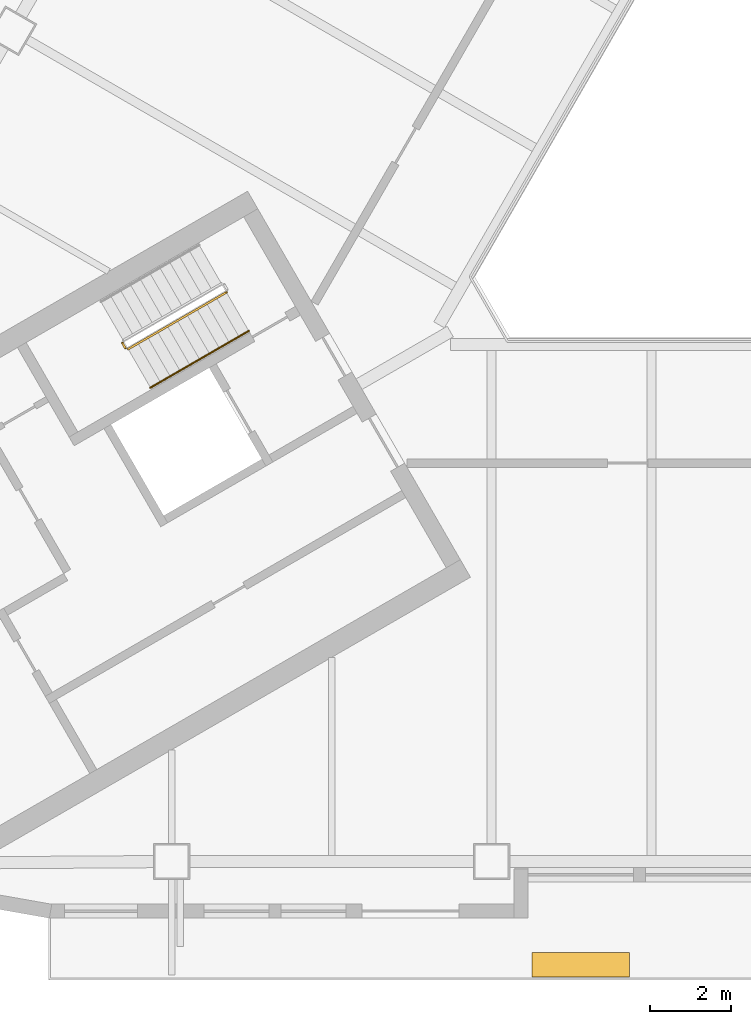
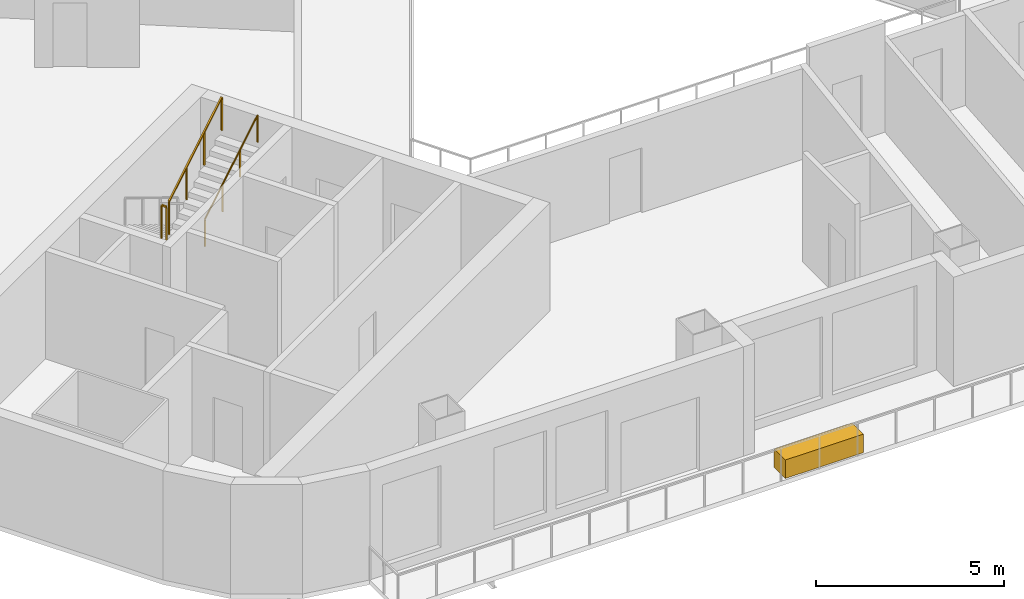
# One storey, part 8 of 13: 3 railings, 1 covering.
"""IFC4 building model written with IfcOpenShell, lengths in metres."""

from ifc_helpers import new_model, si_unit, direction, frame, origin, origin_2d, place, context, subcontext, project, spatial, rectangle, circle, extrude, material, type_object, element, save


model = new_model("IFC4")

# Units and contexts
model_context = context("Model", 3, precision=1e-05, world=origin(), true_north=direction((0.0, 1.0)))
body_context = subcontext(model_context, "Body", "Model", "MODEL_VIEW")
ifc_project = project(units=[si_unit("LENGTHUNIT", "METRE"), si_unit("AREAUNIT", "SQUARE_METRE"), si_unit("VOLUMEUNIT", "CUBIC_METRE"), si_unit("PLANEANGLEUNIT", "RADIAN"), si_unit("MASSUNIT", "GRAM", prefix="KILO")], contexts=[model_context])

# Site, building, storey
site_placement = place(None, origin())
site = spatial("IfcSite", under=ifc_project, at=site_placement, CompositionType="ELEMENT")
building_placement = place(site_placement, origin())
building = spatial("IfcBuilding", under=site, at=building_placement, Name="Apuvela Tower Hotel", CompositionType="ELEMENT")
storey_placement = place(building_placement, frame((0.0, 0.0, 124.199951171875)))
storey = spatial("IfcBuildingStorey", under=building, at=storey_placement, Name="L29", CompositionType="ELEMENT", Elevation=124.199951171875)

# Railings
ifc_material_1 = material(Name="Steel S275 balustrade", Category="steel")
railing_type_1 = type_object("IfcRailingType", Name="COR-GUARD-1100", PredefinedType="GUARDRAIL", material=ifc_material_1)
railing_1_placement = place(storey_placement, frame((-17.01220703125, -5.43408203125, 1.85009765625)))
element("IfcRailing", 1, at=railing_1_placement, inside=storey, type_object=railing_type_1, Name="L29 ST2 stair guard 2", PredefinedType="GUARDRAIL", context=body_context, shape_type="SweptSolid", body=[
    extrude(rectangle(XDim=0.048095703125, YDim=0.048095703125, at=origin_2d()), frame((0.0, 0.0, 1.076171875), z_axis=(0.499816412211, -0.866131372301, 0.0), x_axis=(0.866131372301, 0.499816412211, 0.0)), (0.0, 0.0, 1.0), 0.14990234375),
    extrude(rectangle(XDim=0.0419921875, YDim=0.0419921875, at=origin_2d()), origin(), (0.0, 0.0, 1.0), 1.052001953125),
    extrude(rectangle(XDim=0.0419921875, YDim=0.0419921875, at=origin_2d()), frame((0.074951171875, -0.1298828125, 0.0)), (0.0, 0.0, 1.0), 1.052001953125),
])
railing_2_placement = place(storey_placement, frame((-16.868896484375, -5.582275390625, 2.018310546875)))
element("IfcRailing", 2, at=railing_2_placement, inside=storey, type_object=railing_type_1, Name="L29 ST2 stair guard 3", PredefinedType="GUARDRAIL", context=body_context, shape_type="SweptSolid", body=[
    extrude(rectangle(XDim=0.048095703125, YDim=0.048095703125, at=origin_2d()), frame((0.0, 0.0, 1.076171875), z_axis=(0.74241905619, 0.428617687091, 0.514879426), x_axis=(-0.49998411664, 0.866034573852, 0.0)), (0.0, 0.0, 1.0), 3.26611328125),
    extrude(rectangle(XDim=0.0419921875, YDim=0.0419921875, at=origin_2d()), origin(), (0.0, 0.0, 1.0), 1.052001953125),
    extrude(rectangle(XDim=0.0419921875, YDim=0.0419921875, at=origin_2d()), frame((0.808349609375, 0.466552734375, 0.560546875)), (0.0, 0.0, 1.0), 1.052001953125),
    extrude(rectangle(XDim=0.0419921875, YDim=0.0419921875, at=origin_2d()), frame((1.616455078125, 0.933349609375, 1.12109375)), (0.0, 0.0, 1.0), 1.052001953125),
    extrude(rectangle(XDim=0.0419921875, YDim=0.0419921875, at=origin_2d()), frame((2.4248046875, 1.39990234375, 1.681640625)), (0.0, 0.0, 1.0), 1.052001953125),
])
ifc_material_2 = material(Name="Stainless steel 316 handrail", Category="steel")
railing_type_2 = type_object("IfcRailingType", Name="COR-HANDRAIL-900", PredefinedType="HANDRAIL", material=ifc_material_2)
railing_3_placement = place(storey_placement, frame((-16.31884765625, -6.534912109375, 2.018310546875)))
element("IfcRailing", 3, at=railing_3_placement, inside=storey, type_object=railing_type_2, Name="L29 ST2 stair handrail 2", PredefinedType="HANDRAIL", context=body_context, shape_type="SweptSolid", body=[
    extrude(circle(Radius=0.02392578125, at=origin_2d()), frame((0.0, 0.0, 0.8759765625), z_axis=(0.74241905619, 0.428617687091, 0.514879426), x_axis=(-0.49998411664, 0.866034573852, 0.0)), (0.0, 0.0, 1.0), 3.26611328125),
    extrude(rectangle(XDim=0.0419921875, YDim=0.0419921875, at=origin_2d()), origin(), (0.0, 0.0, 1.0), 0.851806640625),
    extrude(rectangle(XDim=0.0419921875, YDim=0.0419921875, at=origin_2d()), frame((0.808349609375, 0.466552734375, 0.560546875)), (0.0, 0.0, 1.0), 0.851806640625),
    extrude(rectangle(XDim=0.0419921875, YDim=0.0419921875, at=origin_2d()), frame((1.616455078125, 0.933349609375, 1.12109375)), (0.0, 0.0, 1.0), 0.851806640625),
    extrude(rectangle(XDim=0.0419921875, YDim=0.0419921875, at=origin_2d()), frame((2.4248046875, 1.39990234375, 1.681640625)), (0.0, 0.0, 1.0), 0.851806640625),
])

# Covering
ifc_material_3 = material(Name="Planting substrate and soil, planted")
covering_type = type_object("IfcCoveringType", Name="ENV-PLANTER-2400x600", PredefinedType="USERDEFINED", material=ifc_material_3)
covering_placement = place(storey_placement, frame((-5.69970703125, -20.780029296875, 0.0), z_axis=(0.0, 0.0, 1.0), x_axis=(1.0, 0.0, 0.0)))
element("IfcCovering", 4, at=covering_placement, inside=storey, type_object=covering_type, Name="Planter S1", ObjectType="PLANTER", PredefinedType="USERDEFINED", context=body_context, shape_type="SweptSolid", body=[
    extrude(rectangle(XDim=2.39990234375, YDim=0.60009765625, at=origin_2d()), origin(), (0.0, 0.0, 1.0), 0.60009765625),
])

save(model, "model.ifc")
